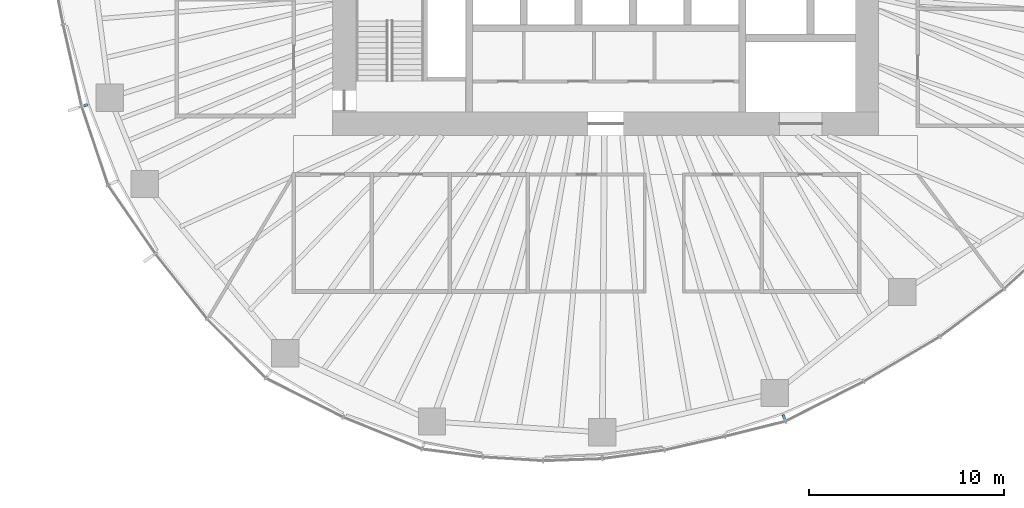
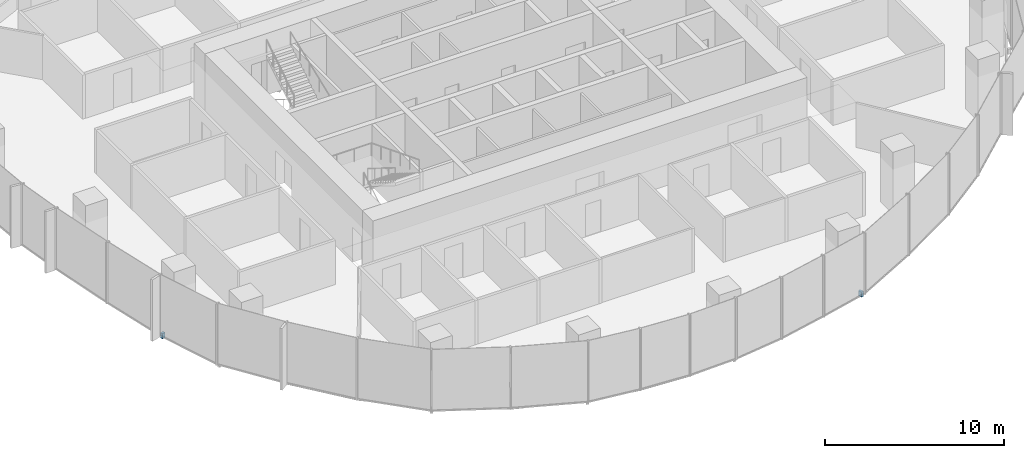
# One storey, part 13 of 18: 2 discrete accessories.
"""IFC4 building model written with IfcOpenShell, lengths in metres."""

from ifc_helpers import new_model, si_unit, direction, frame, origin, origin_2d, place, context, subcontext, project, spatial, rectangle, extrude, material, type_object, element, save


model = new_model("IFC4")

# Units and contexts
model_context = context("Model", 3, precision=1e-05, world=origin(), true_north=direction((0.0, 1.0)))
body_context = subcontext(model_context, "Body", "Model", "MODEL_VIEW")
ifc_project = project(units=[si_unit("LENGTHUNIT", "METRE"), si_unit("AREAUNIT", "SQUARE_METRE"), si_unit("VOLUMEUNIT", "CUBIC_METRE"), si_unit("PLANEANGLEUNIT", "RADIAN"), si_unit("MASSUNIT", "GRAM", prefix="KILO")], contexts=[model_context])

# Site, building, storey
site_placement = place(None, origin())
site = spatial("IfcSite", under=ifc_project, at=site_placement, CompositionType="ELEMENT")
building_placement = place(site_placement, origin())
building = spatial("IfcBuilding", under=site, at=building_placement, Name="Ghaith Harvest Tower", CompositionType="ELEMENT")
storey_placement = place(building_placement, frame((0.0, 0.0, 180.60009765625)))
storey = spatial("IfcBuildingStorey", under=building, at=storey_placement, Name="L39", CompositionType="ELEMENT", Elevation=180.60009765625)

# Discrete accessories
ifc_material_1 = material(Name="Stainless steel grade 1.4401", Category="steel")
discrete_accessory_type_1 = type_object("IfcDiscreteAccessoryType", Name="CURTAIN WALL BRACKET 205", PredefinedType="BRACKET", material=ifc_material_1)
discrete_accessory_1_placement = place(storey_placement, frame((-26.673095703125, -8.453125, -0.250244140625), z_axis=(0.0, 0.0, 1.0), x_axis=(-0.953273219416, -0.302109531701, 0.0)))
element("IfcDiscreteAccessory", 1, at=discrete_accessory_1_placement, inside=storey, type_object=discrete_accessory_type_1, Name="CW-L bracket 1 bay 12 L39", PredefinedType="BRACKET", context=body_context, shape_type="SweptSolid", body=[
    extrude(rectangle(XDim=0.205078125, YDim=0.14990234375, at=origin_2d()), origin(), (0.0, 0.0, 1.0), 0.35009765625),
])
ifc_material_2 = material(Name="Stainless steel grade 1.4401", Category="steel")
discrete_accessory_type_2 = type_object("IfcDiscreteAccessoryType", Name="CURTAIN WALL BRACKET 245", PredefinedType="BRACKET", material=ifc_material_2)
discrete_accessory_2_placement = place(storey_placement, frame((9.135498046875, -24.436767578125, -0.250244140625), z_axis=(0.0, 0.0, 1.0), x_axis=(0.35016769691, -0.93668702566, 0.0)))
element("IfcDiscreteAccessory", 2, at=discrete_accessory_2_placement, inside=storey, type_object=discrete_accessory_type_2, Name="CW-L bracket 1 bay 17 L39", PredefinedType="BRACKET", context=body_context, shape_type="SweptSolid", body=[
    extrude(rectangle(XDim=0.2451171875, YDim=0.14990234375, at=origin_2d()), origin(), (0.0, 0.0, 1.0), 0.35009765625),
])

save(model, "model.ifc")
